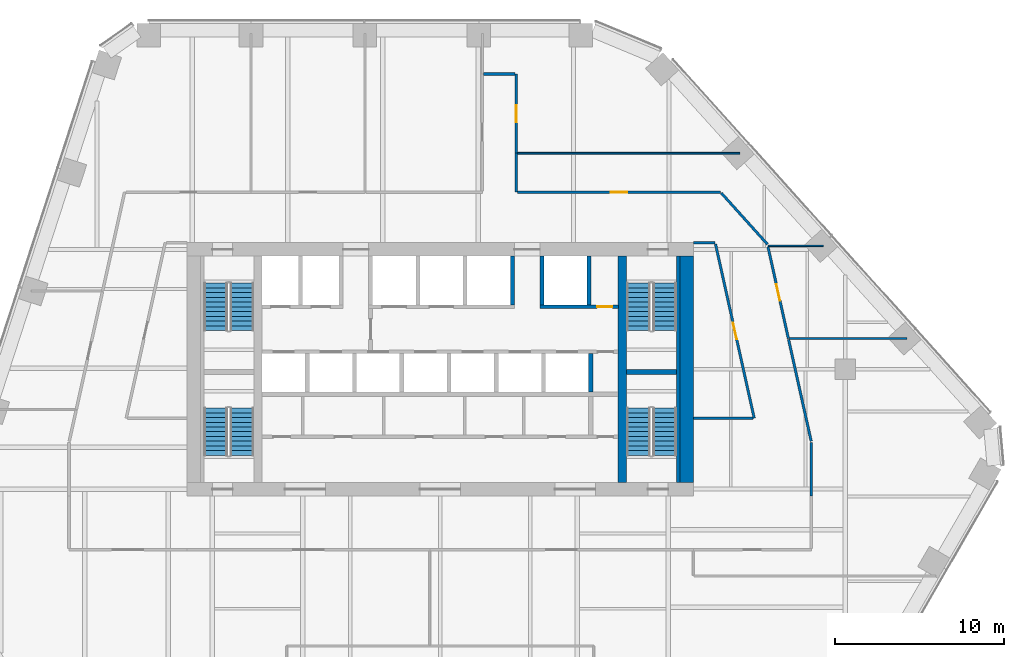
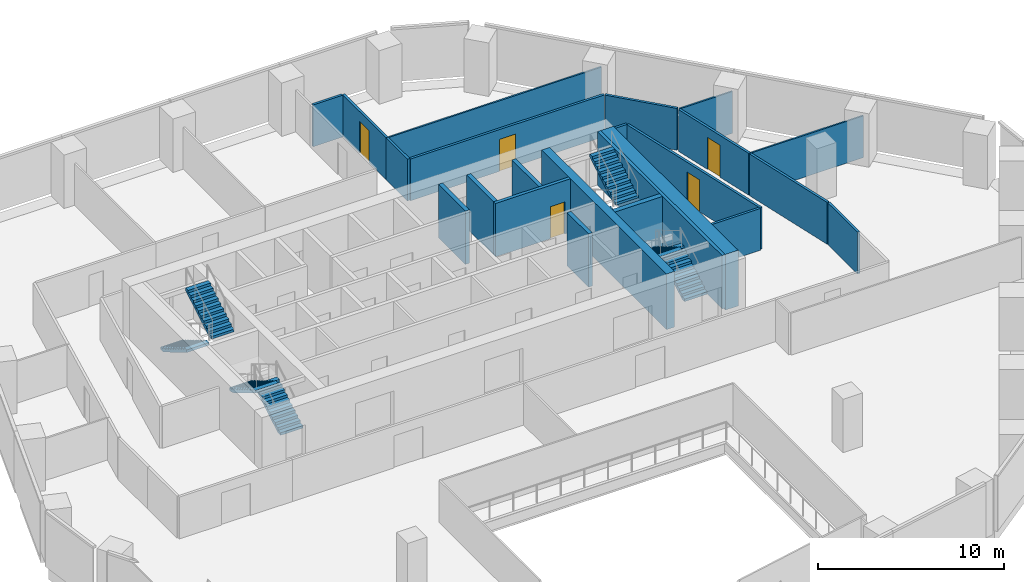
# One storey, part 13 of 16: 23 walls, 8 stair flights, 5 doors, 5 openings, 4 elements without a shape of their own.
"""IFC4 building model written with IfcOpenShell, lengths in metres."""

from ifc_helpers import new_model, si_unit, direction, frame, frame_2d, origin, place, context, subcontext, project, spatial, polyline, rectangle, outline, extrude, material, layer, layer_set, type_object, element, fill, aggregate, save


model = new_model("IFC4")

# Units and contexts
model_context = context("Model", 3, precision=1e-05, world=origin(), true_north=direction((0.0, 1.0)))
body_context = subcontext(model_context, "Body", "Model", "MODEL_VIEW")
ifc_project = project(units=[si_unit("LENGTHUNIT", "METRE"), si_unit("AREAUNIT", "SQUARE_METRE"), si_unit("VOLUMEUNIT", "CUBIC_METRE"), si_unit("PLANEANGLEUNIT", "RADIAN"), si_unit("MASSUNIT", "GRAM", prefix="KILO")], contexts=[model_context])

# Site, building, storey
site_placement = place(None, origin())
site = spatial("IfcSite", under=ifc_project, at=site_placement, CompositionType="ELEMENT")
building_placement = place(site_placement, origin())
building = spatial("IfcBuilding", under=site, at=building_placement, Name="Isthmus Gate Tower", CompositionType="ELEMENT")
storey_placement = place(building_placement, frame((0.0, 0.0, 137.10009765625)))
storey = spatial("IfcBuildingStorey", under=building, at=storey_placement, Name="L33", CompositionType="ELEMENT", Elevation=137.10009765625)

# Wall, opening, door
ifc_material_1 = material(Name="Gypsum board on steel studs, fire-rated", Category="steel")
ifc_layer_1 = layer(ifc_material_1, 0.14990234375)
ifc_layer_set_1 = layer_set([ifc_layer_1], Name="CORRIDOR WALL 150 60 MIN")
wall_type_1 = type_object("IfcWallType", Name="CORRIDOR WALL 150 60 MIN", PredefinedType="PARTITIONING", material=ifc_layer_set_1)
wall_1_placement = place(storey_placement, frame((4.5, 25.0, 0.0), z_axis=(0.0, 0.0, 1.0), x_axis=(0.0, -1.0, 0.0)))
wall_1 = element("IfcWall", 1, at=wall_1_placement, inside=storey, type_object=wall_type_1, Name="L33 Corridor Wall 150 60 Min", PredefinedType="PARTITIONING", context=body_context, shape_type="SweptSolid", body=[
    extrude(rectangle(XDim=4.69189453125, YDim=0.14990234375, at=frame_2d((2.345947265625, 0.0))), origin(), (0.0, 0.0, 1.0), 2.7412109375),
])
opening_1_placement = place(wall_1_placement, frame((1.845947265625, 0.0, 0.0)))
opening_1 = element("IfcOpeningElement", 2, at=opening_1_placement, cuts=wall_1, Name="Opening DT-T3B-03", PredefinedType="OPENING", context=body_context, shape_type="SweptSolid", body=[
    extrude(rectangle(XDim=1.0, YDim=2.10009765625, at=frame_2d((0.5, 1.050048828125))), frame((0.0, 0.0849609375, 0.0), z_axis=(0.0, -1.0, 0.0), x_axis=(1.0, 0.0, 0.0)), (0.0, 0.0, 1.0), 0.169921875),
])
ifc_material_2 = material(Name="Solid core timber door leaf, fire-rated", Category="wood")
door_type_1 = type_object("IfcDoorType", Name="FIRE DOOR ROOM 1000 X 2100 60 MIN", OperationType="SINGLE_SWING_LEFT", PredefinedType="DOOR", material=ifc_material_2)
door_1_placement = place(opening_1_placement, origin())
door_1 = element("IfcDoor", 3, at=door_1_placement, inside=storey, type_object=door_type_1, Name="L33 room door", OperationType="SINGLE_SWING_RIGHT", OverallHeight=2.10009765625, OverallWidth=1.0, PredefinedType="DOOR", context=body_context, shape_type="SweptSolid", body=[
    extrude(rectangle(XDim=1.0, YDim=2.10009765625, at=frame_2d((0.5, 1.050048828125))), frame((0.0, 0.02490234375, 0.0), z_axis=(0.0, -1.0, 0.0), x_axis=(1.0, 0.0, 0.0)), (0.0, 0.0, 1.0), 0.050048828125),
])
fill(opening_1, door_1)

# Walls
wall_2_placement = place(storey_placement, frame((4.5, 20.30810546875, 0.0), z_axis=(0.0, 0.0, 1.0), x_axis=(0.0, -1.0, 0.0)))
element("IfcWall", 4, at=wall_2_placement, inside=storey, type_object=wall_type_1, Name="L33 Corridor Wall 150 60 Min", PredefinedType="PARTITIONING", context=body_context, shape_type="SweptSolid", body=[
    extrude(rectangle(XDim=2.30810546875, YDim=0.14990234375, at=frame_2d((1.154052734375, 0.0))), origin(), (0.0, 0.0, 1.0), 2.7412109375),
])
wall_3_placement = place(storey_placement, frame((16.297119140625, 15.0, 0.0), z_axis=(0.0, 0.0, 1.0), x_axis=(-1.0, 0.0, 0.0)))
element("IfcWall", 5, at=wall_3_placement, inside=storey, type_object=wall_type_1, Name="L33 Corridor Wall 150 60 Min", PredefinedType="PARTITIONING", context=body_context, shape_type="SweptSolid", body=[
    extrude(rectangle(XDim=1.297119140625, YDim=0.14990234375, at=frame_2d((0.6484375, 0.0))), origin(), (0.0, 0.0, 1.0), 2.7412109375),
])

# Wall, opening, door
wall_4_placement = place(storey_placement, frame((18.60791015625, 4.60009765625, 0.0), z_axis=(0.0, 0.0, 1.0), x_axis=(-0.21691823958, 0.976189775268, 0.0)))
wall_4 = element("IfcWall", 6, at=wall_4_placement, inside=storey, type_object=wall_type_1, Name="L33 Corridor Wall 150 60 Min", PredefinedType="PARTITIONING", context=body_context, shape_type="SweptSolid", body=[
    extrude(rectangle(XDim=10.57861328125, YDim=0.14990234375, at=frame_2d((5.289306640625, 0.0))), origin(), (0.0, 0.0, 1.0), 2.7412109375),
])
opening_2_placement = place(wall_4_placement, frame((4.789306640625, 0.0, 0.0)))
opening_2 = element("IfcOpeningElement", 7, at=opening_2_placement, cuts=wall_4, Name="Opening DT-T3B-09", PredefinedType="OPENING", context=body_context, shape_type="SweptSolid", body=[
    extrude(rectangle(XDim=1.0, YDim=2.10009765625, at=frame_2d((0.5, 1.050048828125))), frame((0.0, 0.0849609375, 0.0), z_axis=(0.0, -1.0, 0.0), x_axis=(1.0, 0.0, 0.0)), (0.0, 0.0, 1.0), 0.169921875),
])
door_2_placement = place(opening_2_placement, origin())
door_2 = element("IfcDoor", 8, at=door_2_placement, inside=storey, type_object=door_type_1, Name="L33 room door", OperationType="SINGLE_SWING_RIGHT", OverallHeight=2.10009765625, OverallWidth=1.0, PredefinedType="DOOR", context=body_context, shape_type="SweptSolid", body=[
    extrude(rectangle(XDim=1.0, YDim=2.10009765625, at=frame_2d((0.5, 1.050048828125))), frame((0.0, 0.02490234375, 0.0), z_axis=(0.0, -1.0, 0.0), x_axis=(1.0, 0.0, 0.0)), (0.0, 0.0, 1.0), 0.050048828125),
])
fill(opening_2, door_2)

# Walls
wall_5_placement = place(storey_placement, frame((22.0, 3.1650390625, 0.0), z_axis=(0.0, 0.0, 1.0), x_axis=(0.0, -1.0, 0.0)))
element("IfcWall", 9, at=wall_5_placement, inside=storey, type_object=wall_type_1, Name="L33 Corridor Wall 150 60 Min", PredefinedType="PARTITIONING", context=body_context, shape_type="SweptSolid", body=[
    extrude(rectangle(XDim=3.1650390625, YDim=0.14990234375, at=frame_2d((1.58251953125, 0.0))), origin(), (0.0, 0.0, 1.0), 2.7412109375),
])
wall_6_placement = place(storey_placement, frame((2.574951171875, 25.0, 0.0), z_axis=(0.0, 0.0, 1.0), x_axis=(1.0, 0.0, 0.0)))
element("IfcWall", 10, at=wall_6_placement, inside=storey, type_object=wall_type_1, Name="L33 Corridor Wall 150 60 Min", PredefinedType="PARTITIONING", context=body_context, shape_type="SweptSolid", body=[
    extrude(rectangle(XDim=1.85009765625, YDim=0.14990234375, at=frame_2d((0.925048828125, 0.0))), origin(), (0.0, 0.0, 1.0), 2.7412109375),
])

# Wall, opening, door
wall_7_placement = place(storey_placement, frame((4.574951171875, 18.0, 0.0), z_axis=(0.0, 0.0, 1.0), x_axis=(1.0, 0.0, 0.0)))
wall_7 = element("IfcWall", 11, at=wall_7_placement, inside=storey, type_object=wall_type_1, Name="L33 Corridor Wall 150 60 Min", PredefinedType="PARTITIONING", context=body_context, shape_type="SweptSolid", body=[
    extrude(rectangle(XDim=12.03515625, YDim=0.14990234375, at=frame_2d((6.017578125, 0.0))), origin(), (0.0, 0.0, 1.0), 2.7412109375),
])
opening_3_placement = place(wall_7_placement, frame((5.517578125, 0.0, 0.0)))
opening_3 = element("IfcOpeningElement", 12, at=opening_3_placement, cuts=wall_7, Name="Opening DT-T3B-05", PredefinedType="OPENING", context=body_context, shape_type="SweptSolid", body=[
    extrude(rectangle(XDim=1.0, YDim=2.10009765625, at=frame_2d((0.5, 1.050048828125))), frame((0.0, 0.0849609375, 0.0), z_axis=(0.0, -1.0, 0.0), x_axis=(1.0, 0.0, 0.0)), (0.0, 0.0, 1.0), 0.169921875),
])
door_3_placement = place(opening_3_placement, origin())
door_3 = element("IfcDoor", 13, at=door_3_placement, inside=storey, type_object=door_type_1, Name="L33 room door", OperationType="SINGLE_SWING_RIGHT", OverallHeight=2.10009765625, OverallWidth=1.0, PredefinedType="DOOR", context=body_context, shape_type="SweptSolid", body=[
    extrude(rectangle(XDim=1.0, YDim=2.10009765625, at=frame_2d((0.5, 1.050048828125))), frame((0.0, 0.02490234375, 0.0), z_axis=(0.0, -1.0, 0.0), x_axis=(1.0, 0.0, 0.0)), (0.0, 0.0, 1.0), 0.050048828125),
])
fill(opening_3, door_3)

# Wall
wall_8_placement = place(storey_placement, frame((16.66015625, 17.9443359375, 0.0), z_axis=(0.0, 0.0, 1.0), x_axis=(0.669169786575, -0.743109545582, 0.0)))
element("IfcWall", 14, at=wall_8_placement, inside=storey, type_object=wall_type_1, Name="L33 Corridor Wall 150 60 Min", PredefinedType="PARTITIONING", context=body_context, shape_type="SweptSolid", body=[
    extrude(rectangle(XDim=4.077880859375, YDim=0.14990234375, at=frame_2d((2.0390625, 0.0))), origin(), (0.0, 0.0, 1.0), 2.7412109375),
])

# Wall, opening, door
wall_9_placement = place(storey_placement, frame((19.421875, 14.76708984375, 0.0), z_axis=(0.0, 0.0, 1.0), x_axis=(0.216833114764, -0.976208686881, 0.0)))
wall_9 = element("IfcWall", 15, at=wall_9_placement, inside=storey, type_object=wall_type_1, Name="L33 Corridor Wall 150 60 Min", PredefinedType="PARTITIONING", context=body_context, shape_type="SweptSolid", body=[
    extrude(rectangle(XDim=5.57666015625, YDim=0.14990234375, at=frame_2d((2.788330078125, 0.0))), origin(), (0.0, 0.0, 1.0), 2.7412109375),
])
opening_4_placement = place(wall_9_placement, frame((2.288330078125, 0.0, 0.0)))
opening_4 = element("IfcOpeningElement", 16, at=opening_4_placement, cuts=wall_9, Name="Opening DT-T3B-06", PredefinedType="OPENING", context=body_context, shape_type="SweptSolid", body=[
    extrude(rectangle(XDim=1.0, YDim=2.10009765625, at=frame_2d((0.5, 1.050048828125))), frame((0.0, 0.0849609375, 0.0), z_axis=(0.0, -1.0, 0.0), x_axis=(1.0, 0.0, 0.0)), (0.0, 0.0, 1.0), 0.169921875),
])
door_4_placement = place(opening_4_placement, origin())
door_4 = element("IfcDoor", 17, at=door_4_placement, inside=storey, type_object=door_type_1, Name="L33 room door", OperationType="SINGLE_SWING_RIGHT", OverallHeight=2.10009765625, OverallWidth=1.0, PredefinedType="DOOR", context=body_context, shape_type="SweptSolid", body=[
    extrude(rectangle(XDim=1.0, YDim=2.10009765625, at=frame_2d((0.5, 1.050048828125))), frame((0.0, 0.02490234375, 0.0), z_axis=(0.0, -1.0, 0.0), x_axis=(1.0, 0.0, 0.0)), (0.0, 0.0, 1.0), 0.050048828125),
])
fill(opening_4, door_4)

# Walls
wall_10_placement = place(storey_placement, frame((15.0, 4.60009765625, 0.0), z_axis=(0.0, 0.0, 1.0), x_axis=(1.0, 0.0, 0.0)))
element("IfcWall", 18, at=wall_10_placement, inside=storey, type_object=wall_type_1, Name="L33 Corridor Wall 150 60 Min", PredefinedType="PARTITIONING", context=body_context, shape_type="SweptSolid", body=[
    extrude(rectangle(XDim=3.532958984375, YDim=0.14990234375, at=frame_2d((1.7666015625, 0.0))), origin(), (0.0, 0.0, 1.0), 2.7412109375),
])
wall_11_placement = place(storey_placement, frame((20.641845703125, 9.274169921875, 0.0), z_axis=(0.0, 0.0, 1.0), x_axis=(0.217005709604, -0.976170334521, 0.0)))
element("IfcWall", 19, at=wall_11_placement, inside=storey, type_object=wall_type_1, Name="L33 Corridor Wall 150 60 Min", PredefinedType="PARTITIONING", context=body_context, shape_type="SweptSolid", body=[
    extrude(rectangle(XDim=6.183349609375, YDim=0.14990234375, at=frame_2d((3.091796875, 0.0))), origin(), (0.0, 0.0, 1.0), 2.7412109375),
])
ifc_material_3 = material(Name="Concrete f'c 60 MPa", Category="concrete")
ifc_layer_2 = layer(ifc_material_3, 0.5)
ifc_layer_set_2 = layer_set([ifc_layer_2], Name="RC CORE SPINE WALL 500 F'C 60")
wall_type_2 = type_object("IfcWallType", Name="RC CORE SPINE WALL 500 F'C 60", PredefinedType="SOLIDWALL", material=ifc_layer_set_2)
wall_12_placement = place(storey_placement, frame((10.800048828125, 0.800048828125, -0.150146484375), z_axis=(0.0, 0.0, 1.0), x_axis=(0.0, 1.0, 0.0)))
element("IfcWall", 20, at=wall_12_placement, inside=storey, type_object=wall_type_2, Name="str-corewall-L33-SPE", PredefinedType="SOLIDWALL", context=body_context, shape_type="SweptSolid", body=[
    extrude(rectangle(XDim=13.39990234375, YDim=0.5, at=frame_2d((6.699951171875, 0.0))), origin(), (0.0, 0.0, 1.0), 3.650146484375),
])
ifc_material_4 = material(Name="Concrete f'c 60 MPa", Category="concrete")
ifc_layer_3 = layer(ifc_material_4, 0.800048828125)
ifc_layer_set_3 = layer_set([ifc_layer_3], Name="RC CORE WALL 800 F'C 60")
wall_type_3 = type_object("IfcWallType", Name="RC CORE WALL 800 F'C 60", PredefinedType="SOLIDWALL", material=ifc_layer_set_3)
wall_13_placement = place(storey_placement, frame((14.60009765625, 0.800048828125, -0.150146484375), z_axis=(0.0, 0.0, 1.0), x_axis=(0.0, 1.0, 0.0)))
element("IfcWall", 21, at=wall_13_placement, inside=storey, type_object=wall_type_3, Name="str-corewall-L33-E", PredefinedType="SOLIDWALL", context=body_context, shape_type="SweptSolid", body=[
    extrude(rectangle(XDim=13.39990234375, YDim=0.800048828125, at=frame_2d((6.699951171875, 0.0))), origin(), (0.0, 0.0, 1.0), 3.650146484375),
])
ifc_material_5 = material(Name="Gypsum board on steel studs, fire-rated", Category="steel")
ifc_layer_4 = layer(ifc_material_5, 0.10009765625)
ifc_layer_set_4 = layer_set([ifc_layer_4], Name="ROOM PARTITION 100 30 MIN")
wall_type_4 = type_object("IfcWallType", Name="ROOM PARTITION 100 30 MIN", PredefinedType="PARTITIONING", material=ifc_layer_set_4)
wall_14_placement = place(storey_placement, frame((4.574951171875, 20.30810546875, 0.0), z_axis=(0.0, 0.0, 1.0), x_axis=(1.0, 0.0, 0.0)))
element("IfcWall", 22, at=wall_14_placement, inside=storey, type_object=wall_type_4, Name="L33 Room Partition 100 30 Min", PredefinedType="PARTITIONING", context=body_context, shape_type="SweptSolid", body=[
    extrude(rectangle(XDim=13.18701171875, YDim=0.10009765625, at=frame_2d((6.593505859375, 0.0))), origin(), (0.0, 0.0, 1.0), 2.7412109375),
])
wall_15_placement = place(storey_placement, frame((19.4365234375, 14.81591796875, 0.0), z_axis=(0.0, 0.0, 1.0), x_axis=(1.0, 0.0, 0.0)))
element("IfcWall", 23, at=wall_15_placement, inside=storey, type_object=wall_type_4, Name="L33 Room Partition 100 30 Min", PredefinedType="PARTITIONING", context=body_context, shape_type="SweptSolid", body=[
    extrude(rectangle(XDim=3.2705078125, YDim=0.10009765625, at=frame_2d((1.63525390625, 0.0))), origin(), (0.0, 0.0, 1.0), 2.7412109375),
])
wall_16_placement = place(storey_placement, frame((20.7060546875, 9.322998046875, 0.0), z_axis=(0.0, 0.0, 1.0), x_axis=(1.0, 0.0, 0.0)))
element("IfcWall", 24, at=wall_16_placement, inside=storey, type_object=wall_type_4, Name="L33 Room Partition 100 30 Min", PredefinedType="PARTITIONING", context=body_context, shape_type="SweptSolid", body=[
    extrude(rectangle(XDim=6.946044921875, YDim=0.10009765625, at=frame_2d((3.47314453125, 0.0))), origin(), (0.0, 0.0, 1.0), 2.7412109375),
])

# Wall, opening, door
ifc_material_6 = material(Name="Fire-rated blockwork masonry, 15 MPa", Category="masonry")
ifc_layer_5 = layer(ifc_material_6, 0.199951171875)
ifc_layer_set_5 = layer_set([ifc_layer_5], Name="SHAFT FRONT WALL 200 120 MIN")
wall_type_5 = type_object("IfcWallType", Name="SHAFT FRONT WALL 200 120 MIN", PredefinedType="PARTITIONING", material=ifc_layer_set_5)
wall_17_placement = place(storey_placement, frame((5.89990234375, 11.199951171875, 0.0), z_axis=(0.0, 0.0, 1.0), x_axis=(1.0, 0.0, 0.0)))
wall_17 = element("IfcWall", 25, at=wall_17_placement, inside=storey, type_object=wall_type_5, Name="L33 SHAFT FRONT WALL 200 120 MIN", PredefinedType="PARTITIONING", context=body_context, shape_type="SweptSolid", body=[
    extrude(rectangle(XDim=4.650146484375, YDim=0.199951171875, at=frame_2d((2.3251953125, 0.0))), origin(), (0.0, 0.0, 1.0), 3.5),
])
opening_5_placement = place(wall_17_placement, frame((3.39990234375, 0.0, 0.0)))
opening_5 = element("IfcOpeningElement", 26, at=opening_5_placement, cuts=wall_17, Name="Opening DC-A12-09", PredefinedType="OPENING", context=body_context, shape_type="SweptSolid", body=[
    extrude(rectangle(XDim=0.89990234375, YDim=2.10009765625, at=frame_2d((0.449951171875, 1.050048828125))), frame((0.0, 0.10986328125, 0.0), z_axis=(0.0, -1.0, 0.0), x_axis=(1.0, 0.0, 0.0)), (0.0, 0.0, 1.0), 0.219970703125),
])
ifc_material_7 = material(Name="Steel door leaf, fire-rated", Category="steel")
door_type_2 = type_object("IfcDoorType", Name="RISER FIRE DOOR 900 X 2100 90 MIN", OperationType="SINGLE_SWING_LEFT", PredefinedType="DOOR", material=ifc_material_7)
door_5_placement = place(opening_5_placement, origin())
door_5 = element("IfcDoor", 27, at=door_5_placement, inside=storey, type_object=door_type_2, Name="Riser Door", OperationType="SINGLE_SWING_LEFT", OverallHeight=2.10009765625, OverallWidth=0.89990234375, PredefinedType="DOOR", context=body_context, shape_type="SweptSolid", body=[
    extrude(rectangle(XDim=0.89990234375, YDim=2.10009765625, at=frame_2d((0.449951171875, 1.050048828125))), frame((0.0, 0.02490234375, 0.0), z_axis=(0.0, -1.0, 0.0), x_axis=(1.0, 0.0, 0.0)), (0.0, 0.0, 1.0), 0.050048828125),
])
fill(opening_5, door_5)

# Walls
ifc_material_8 = material(Name="Fire-rated blockwork masonry, 15 MPa", Category="masonry")
ifc_layer_6 = layer(ifc_material_8, 0.25)
ifc_layer_set_6 = layer_set([ifc_layer_6], Name="SHAFT WALL 250 120 MIN")
wall_type_6 = type_object("IfcWallType", Name="SHAFT WALL 250 120 MIN", PredefinedType="PARTITIONING", material=ifc_layer_set_6)
wall_18_placement = place(storey_placement, frame((8.925048828125, 6.14990234375, 0.0), z_axis=(0.0, 0.0, 1.0), x_axis=(0.0, 1.0, 0.0)))
element("IfcWall", 28, at=wall_18_placement, inside=storey, type_object=wall_type_6, Name="L33 SHAFT WALL 250 120 MIN", PredefinedType="PARTITIONING", context=body_context, shape_type="SweptSolid", body=[
    extrude(rectangle(XDim=2.300048828125, YDim=0.25, at=frame_2d((1.14990234375, 0.0))), origin(), (0.0, 0.0, 1.0), 3.5),
])
for number, where, z_axis, x_axis, name in (
    (29, (4.27490234375, 11.300048828125, 0.0), (0.0, 0.0, 1.0), (0.0, 1.0, 0.0), "L33 SHAFT WALL 250 120 MIN"),
    (30, (6.02490234375, 11.300048828125, 0.0), (0.0, 0.0, 1.0), (0.0, 1.0, 0.0), "L33 SHAFT WALL 250 120 MIN"),
    (31, (8.824951171875, 11.300048828125, 0.0), (0.0, 0.0, 1.0), (0.0, 1.0, 0.0), "L33 SHAFT WALL 250 120 MIN"),
):
    element("IfcWall", number, at=place(storey_placement, frame(where, z_axis=z_axis, x_axis=x_axis)), inside=storey, type_object=wall_type_6, Name=name, PredefinedType="PARTITIONING", context=body_context, shape_type="SweptSolid", body=[
        extrude(rectangle(XDim=2.89990234375, YDim=0.25, at=frame_2d((1.449951171875, 0.0))), origin(), (0.0, 0.0, 1.0), 3.5),
    ])
ifc_material_9 = material(Name="Concrete f'c 40 MPa", Category="concrete")
ifc_layer_7 = layer(ifc_material_9, 0.199951171875)
ifc_layer_set_7 = layer_set([ifc_layer_7], Name="STAIR ENCLOSURE WALL 200 180 MIN")
wall_type_7 = type_object("IfcWallType", Name="STAIR ENCLOSURE WALL 200 180 MIN", PredefinedType="SOLIDWALL", material=ifc_layer_set_7)
wall_19_placement = place(storey_placement, frame((14.10009765625, 0.800048828125, 0.0), z_axis=(0.0, 0.0, 1.0), x_axis=(0.0, 1.0, 0.0)))
element("IfcWall", 32, at=wall_19_placement, inside=storey, type_object=wall_type_7, Name="L33 STAIR ENCLOSURE WALL 200 180 MIN", PredefinedType="SOLIDWALL", context=body_context, shape_type="SweptSolid", body=[
    extrude(rectangle(XDim=13.39990234375, YDim=0.199951171875, at=frame_2d((6.699951171875, 0.0))), origin(), (0.0, 0.0, 1.0), 3.5),
])
ifc_material_10 = material(Name="Concrete f'c 40 MPa", Category="concrete")
ifc_layer_8 = layer(ifc_material_10, 0.300048828125)
ifc_layer_set_8 = layer_set([ifc_layer_8], Name="STAIR ENCLOSURE WALL 300 180 MIN")
wall_type_8 = type_object("IfcWallType", Name="STAIR ENCLOSURE WALL 300 180 MIN", PredefinedType="SOLIDWALL", material=ifc_layer_set_8)
wall_20_placement = place(storey_placement, frame((11.050048828125, 7.35009765625, 0.0), z_axis=(0.0, 0.0, 1.0), x_axis=(1.0, 0.0, 0.0)))
element("IfcWall", 33, at=wall_20_placement, inside=storey, type_object=wall_type_8, Name="L33 STAIR ENCLOSURE WALL 300 180 MIN", PredefinedType="SOLIDWALL", context=body_context, shape_type="SweptSolid", body=[
    extrude(rectangle(XDim=2.949951171875, YDim=0.300048828125, at=frame_2d((1.47509765625, 0.0))), origin(), (0.0, 0.0, 1.0), 3.5),
])

# Stair, stair flights
ifc_material_11 = material(Name="Concrete f'c 40 MPa", Category="concrete")
stair_type = type_object("IfcStairType", Name="CORE STAIR 22 RISERS", PredefinedType="HALF_TURN_STAIR", material=ifc_material_11)
stair_1_placement = place(storey_placement, origin())
stair_1 = element("IfcStair", 34, at=stair_1_placement, inside=storey, type_object=stair_type, Name="L33 Exit Stair 1", PredefinedType="HALF_TURN_STAIR")
ifc_material_12 = material(Name="Concrete f'c 40 MPa", Category="concrete")
stair_flight_type = type_object("IfcStairFlightType", Name="STAIR FLIGHT RC 1400", PredefinedType="STRAIGHT", material=ifc_material_12)
stair_flight_1_placement = place(storey_placement, frame((-13.300048828125, 12.60009765625, 0.0), z_axis=(0.0, 0.0, 1.0), x_axis=(0.0, -1.0, 0.0)))
stair_flight_1 = element("IfcStairFlight", 35, at=stair_flight_1_placement, type_object=stair_flight_type, Name="ST1 flight 1", NumberOfRisers=11, NumberOfTreads=10, PredefinedType="STRAIGHT", RiserHeight=0.165909091, TreadLength=0.28, context=body_context, shape_type="SweptSolid", body=[
    extrude(outline(polyline([(0.0, 0.0), (0.0, 0.166015625), (0.280029296875, 0.166015625), (0.280029296875, 0.331787109375), (0.56005859375, 0.331787109375), (0.56005859375, 0.497802734375), (0.840087890625, 0.497802734375), (0.840087890625, 0.66357421875), (1.1201171875, 0.66357421875), (1.1201171875, 0.82958984375), (1.39990234375, 0.82958984375), (1.39990234375, 0.995361328125), (1.679931640625, 0.995361328125), (1.679931640625, 1.161376953125), (1.9599609375, 1.161376953125), (1.9599609375, 1.327392578125), (2.239990234375, 1.327392578125), (2.239990234375, 1.4931640625), (2.52001953125, 1.4931640625), (2.52001953125, 1.6591796875), (2.800048828125, 1.6591796875), (2.800048828125, 1.824951171875), (2.800048828125, 1.48486328125), (0.2939453125, 0.0), (0.0, 0.0)])), frame((0.0, 0.699951171875, 0.0), z_axis=(0.0, -1.0, 0.0), x_axis=(1.0, 0.0, 0.0)), (0.0, 0.0, 1.0), 1.39990234375),
])
stair_flight_2_placement = place(storey_placement, frame((-11.75, 9.800048828125, 1.824951171875), z_axis=(0.0, 0.0, 1.0), x_axis=(0.0, 1.0, 0.0)))
stair_flight_2 = element("IfcStairFlight", 36, at=stair_flight_2_placement, type_object=stair_flight_type, Name="ST1 flight 2", NumberOfRisers=11, NumberOfTreads=10, PredefinedType="STRAIGHT", RiserHeight=0.165909091, TreadLength=0.28, context=body_context, shape_type="SweptSolid", body=[
    extrude(outline(polyline([(0.0, 0.0), (0.0, 0.166015625), (0.280029296875, 0.166015625), (0.280029296875, 0.331787109375), (0.56005859375, 0.331787109375), (0.56005859375, 0.497802734375), (0.840087890625, 0.497802734375), (0.840087890625, 0.66357421875), (1.1201171875, 0.66357421875), (1.1201171875, 0.82958984375), (1.39990234375, 0.82958984375), (1.39990234375, 0.995361328125), (1.679931640625, 0.995361328125), (1.679931640625, 1.161376953125), (1.9599609375, 1.161376953125), (1.9599609375, 1.327392578125), (2.239990234375, 1.327392578125), (2.239990234375, 1.4931640625), (2.52001953125, 1.4931640625), (2.52001953125, 1.6591796875), (2.800048828125, 1.6591796875), (2.800048828125, 1.824951171875), (2.800048828125, 1.48486328125), (0.2939453125, 0.0), (0.0, 0.0)])), frame((0.0, 0.699951171875, 0.0), z_axis=(0.0, -1.0, 0.0), x_axis=(1.0, 0.0, 0.0)), (0.0, 0.0, 1.0), 1.39990234375),
])
aggregate(stair_1, [stair_flight_1, stair_flight_2])

stair_2_placement = place(storey_placement, origin())
stair_2 = element("IfcStair", 37, at=stair_2_placement, inside=storey, type_object=stair_type, Name="L33 Exit Stair 2", PredefinedType="HALF_TURN_STAIR")
stair_flight_3_placement = place(storey_placement, frame((11.75, 12.60009765625, 0.0), z_axis=(0.0, 0.0, 1.0), x_axis=(0.0, -1.0, 0.0)))
stair_flight_3 = element("IfcStairFlight", 38, at=stair_flight_3_placement, type_object=stair_flight_type, Name="ST2 flight 1", NumberOfRisers=11, NumberOfTreads=10, PredefinedType="STRAIGHT", RiserHeight=0.165909091, TreadLength=0.28, context=body_context, shape_type="SweptSolid", body=[
    extrude(outline(polyline([(0.0, 0.0), (0.0, 0.166015625), (0.280029296875, 0.166015625), (0.280029296875, 0.331787109375), (0.56005859375, 0.331787109375), (0.56005859375, 0.497802734375), (0.840087890625, 0.497802734375), (0.840087890625, 0.66357421875), (1.1201171875, 0.66357421875), (1.1201171875, 0.82958984375), (1.39990234375, 0.82958984375), (1.39990234375, 0.995361328125), (1.679931640625, 0.995361328125), (1.679931640625, 1.161376953125), (1.9599609375, 1.161376953125), (1.9599609375, 1.327392578125), (2.239990234375, 1.327392578125), (2.239990234375, 1.4931640625), (2.52001953125, 1.4931640625), (2.52001953125, 1.6591796875), (2.800048828125, 1.6591796875), (2.800048828125, 1.824951171875), (2.800048828125, 1.48486328125), (0.2939453125, 0.0), (0.0, 0.0)])), frame((0.0, 0.699951171875, 0.0), z_axis=(0.0, -1.0, 0.0), x_axis=(1.0, 0.0, 0.0)), (0.0, 0.0, 1.0), 1.39990234375),
])
stair_flight_4_placement = place(storey_placement, frame((13.300048828125, 9.800048828125, 1.824951171875), z_axis=(0.0, 0.0, 1.0), x_axis=(0.0, 1.0, 0.0)))
stair_flight_4 = element("IfcStairFlight", 39, at=stair_flight_4_placement, type_object=stair_flight_type, Name="ST2 flight 2", NumberOfRisers=11, NumberOfTreads=10, PredefinedType="STRAIGHT", RiserHeight=0.165909091, TreadLength=0.28, context=body_context, shape_type="SweptSolid", body=[
    extrude(outline(polyline([(0.0, 0.0), (0.0, 0.166015625), (0.280029296875, 0.166015625), (0.280029296875, 0.331787109375), (0.56005859375, 0.331787109375), (0.56005859375, 0.497802734375), (0.840087890625, 0.497802734375), (0.840087890625, 0.66357421875), (1.1201171875, 0.66357421875), (1.1201171875, 0.82958984375), (1.39990234375, 0.82958984375), (1.39990234375, 0.995361328125), (1.679931640625, 0.995361328125), (1.679931640625, 1.161376953125), (1.9599609375, 1.161376953125), (1.9599609375, 1.327392578125), (2.239990234375, 1.327392578125), (2.239990234375, 1.4931640625), (2.52001953125, 1.4931640625), (2.52001953125, 1.6591796875), (2.800048828125, 1.6591796875), (2.800048828125, 1.824951171875), (2.800048828125, 1.48486328125), (0.2939453125, 0.0), (0.0, 0.0)])), frame((0.0, 0.699951171875, 0.0), z_axis=(0.0, -1.0, 0.0), x_axis=(1.0, 0.0, 0.0)), (0.0, 0.0, 1.0), 1.39990234375),
])
aggregate(stair_2, [stair_flight_3, stair_flight_4])

stair_3_placement = place(storey_placement, origin())
stair_3 = element("IfcStair", 40, at=stair_3_placement, inside=storey, type_object=stair_type, Name="L33 Exit Stair 7", PredefinedType="HALF_TURN_STAIR")
stair_flight_5_placement = place(storey_placement, frame((-11.75, 2.39990234375, 0.0), z_axis=(0.0, 0.0, 1.0), x_axis=(0.0, 1.0, 0.0)))
stair_flight_5 = element("IfcStairFlight", 41, at=stair_flight_5_placement, type_object=stair_flight_type, Name="ST7 flight 1", NumberOfRisers=11, NumberOfTreads=10, PredefinedType="STRAIGHT", RiserHeight=0.165909091, TreadLength=0.28, context=body_context, shape_type="SweptSolid", body=[
    extrude(outline(polyline([(0.0, 0.0), (0.0, 0.166015625), (0.280029296875, 0.166015625), (0.280029296875, 0.331787109375), (0.56005859375, 0.331787109375), (0.56005859375, 0.497802734375), (0.840087890625, 0.497802734375), (0.840087890625, 0.66357421875), (1.1201171875, 0.66357421875), (1.1201171875, 0.82958984375), (1.39990234375, 0.82958984375), (1.39990234375, 0.995361328125), (1.679931640625, 0.995361328125), (1.679931640625, 1.161376953125), (1.9599609375, 1.161376953125), (1.9599609375, 1.327392578125), (2.239990234375, 1.327392578125), (2.239990234375, 1.4931640625), (2.52001953125, 1.4931640625), (2.52001953125, 1.6591796875), (2.800048828125, 1.6591796875), (2.800048828125, 1.824951171875), (2.800048828125, 1.48486328125), (0.2939453125, 0.0), (0.0, 0.0)])), frame((0.0, 0.699951171875, 0.0), z_axis=(0.0, -1.0, 0.0), x_axis=(1.0, 0.0, 0.0)), (0.0, 0.0, 1.0), 1.39990234375),
])
stair_flight_6_placement = place(storey_placement, frame((-13.300048828125, 5.199951171875, 1.824951171875), z_axis=(0.0, 0.0, 1.0), x_axis=(0.0, -1.0, 0.0)))
stair_flight_6 = element("IfcStairFlight", 42, at=stair_flight_6_placement, type_object=stair_flight_type, Name="ST7 flight 2", NumberOfRisers=11, NumberOfTreads=10, PredefinedType="STRAIGHT", RiserHeight=0.165909091, TreadLength=0.28, context=body_context, shape_type="SweptSolid", body=[
    extrude(outline(polyline([(0.0, 0.0), (0.0, 0.166015625), (0.280029296875, 0.166015625), (0.280029296875, 0.331787109375), (0.56005859375, 0.331787109375), (0.56005859375, 0.497802734375), (0.840087890625, 0.497802734375), (0.840087890625, 0.66357421875), (1.1201171875, 0.66357421875), (1.1201171875, 0.82958984375), (1.39990234375, 0.82958984375), (1.39990234375, 0.995361328125), (1.679931640625, 0.995361328125), (1.679931640625, 1.161376953125), (1.9599609375, 1.161376953125), (1.9599609375, 1.327392578125), (2.239990234375, 1.327392578125), (2.239990234375, 1.4931640625), (2.52001953125, 1.4931640625), (2.52001953125, 1.6591796875), (2.800048828125, 1.6591796875), (2.800048828125, 1.824951171875), (2.800048828125, 1.48486328125), (0.2939453125, 0.0), (0.0, 0.0)])), frame((0.0, 0.699951171875, 0.0), z_axis=(0.0, -1.0, 0.0), x_axis=(1.0, 0.0, 0.0)), (0.0, 0.0, 1.0), 1.39990234375),
])
aggregate(stair_3, [stair_flight_5, stair_flight_6])

stair_4_placement = place(storey_placement, origin())
stair_4 = element("IfcStair", 43, at=stair_4_placement, inside=storey, type_object=stair_type, Name="L33 Exit Stair 8", PredefinedType="HALF_TURN_STAIR")
stair_flight_7_placement = place(storey_placement, frame((13.300048828125, 2.39990234375, 0.0), z_axis=(0.0, 0.0, 1.0), x_axis=(0.0, 1.0, 0.0)))
stair_flight_7 = element("IfcStairFlight", 44, at=stair_flight_7_placement, type_object=stair_flight_type, Name="ST8 flight 1", NumberOfRisers=11, NumberOfTreads=10, PredefinedType="STRAIGHT", RiserHeight=0.165909091, TreadLength=0.28, context=body_context, shape_type="SweptSolid", body=[
    extrude(outline(polyline([(0.0, 0.0), (0.0, 0.166015625), (0.280029296875, 0.166015625), (0.280029296875, 0.331787109375), (0.56005859375, 0.331787109375), (0.56005859375, 0.497802734375), (0.840087890625, 0.497802734375), (0.840087890625, 0.66357421875), (1.1201171875, 0.66357421875), (1.1201171875, 0.82958984375), (1.39990234375, 0.82958984375), (1.39990234375, 0.995361328125), (1.679931640625, 0.995361328125), (1.679931640625, 1.161376953125), (1.9599609375, 1.161376953125), (1.9599609375, 1.327392578125), (2.239990234375, 1.327392578125), (2.239990234375, 1.4931640625), (2.52001953125, 1.4931640625), (2.52001953125, 1.6591796875), (2.800048828125, 1.6591796875), (2.800048828125, 1.824951171875), (2.800048828125, 1.48486328125), (0.2939453125, 0.0), (0.0, 0.0)])), frame((0.0, 0.699951171875, 0.0), z_axis=(0.0, -1.0, 0.0), x_axis=(1.0, 0.0, 0.0)), (0.0, 0.0, 1.0), 1.39990234375),
])
stair_flight_8_placement = place(storey_placement, frame((11.75, 5.199951171875, 1.824951171875), z_axis=(0.0, 0.0, 1.0), x_axis=(0.0, -1.0, 0.0)))
stair_flight_8 = element("IfcStairFlight", 45, at=stair_flight_8_placement, type_object=stair_flight_type, Name="ST8 flight 2", NumberOfRisers=11, NumberOfTreads=10, PredefinedType="STRAIGHT", RiserHeight=0.165909091, TreadLength=0.28, context=body_context, shape_type="SweptSolid", body=[
    extrude(outline(polyline([(0.0, 0.0), (0.0, 0.166015625), (0.280029296875, 0.166015625), (0.280029296875, 0.331787109375), (0.56005859375, 0.331787109375), (0.56005859375, 0.497802734375), (0.840087890625, 0.497802734375), (0.840087890625, 0.66357421875), (1.1201171875, 0.66357421875), (1.1201171875, 0.82958984375), (1.39990234375, 0.82958984375), (1.39990234375, 0.995361328125), (1.679931640625, 0.995361328125), (1.679931640625, 1.161376953125), (1.9599609375, 1.161376953125), (1.9599609375, 1.327392578125), (2.239990234375, 1.327392578125), (2.239990234375, 1.4931640625), (2.52001953125, 1.4931640625), (2.52001953125, 1.6591796875), (2.800048828125, 1.6591796875), (2.800048828125, 1.824951171875), (2.800048828125, 1.48486328125), (0.2939453125, 0.0), (0.0, 0.0)])), frame((0.0, 0.699951171875, 0.0), z_axis=(0.0, -1.0, 0.0), x_axis=(1.0, 0.0, 0.0)), (0.0, 0.0, 1.0), 1.39990234375),
])
aggregate(stair_4, [stair_flight_7, stair_flight_8])

save(model, "model.ifc")
